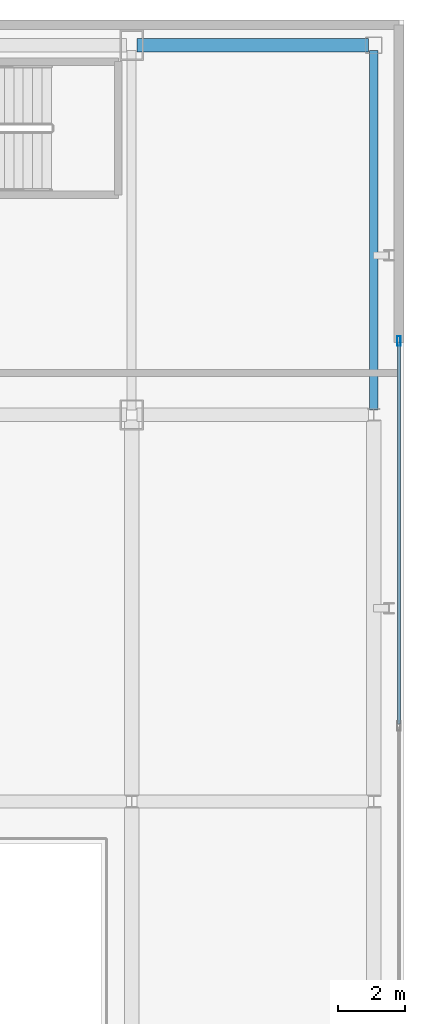
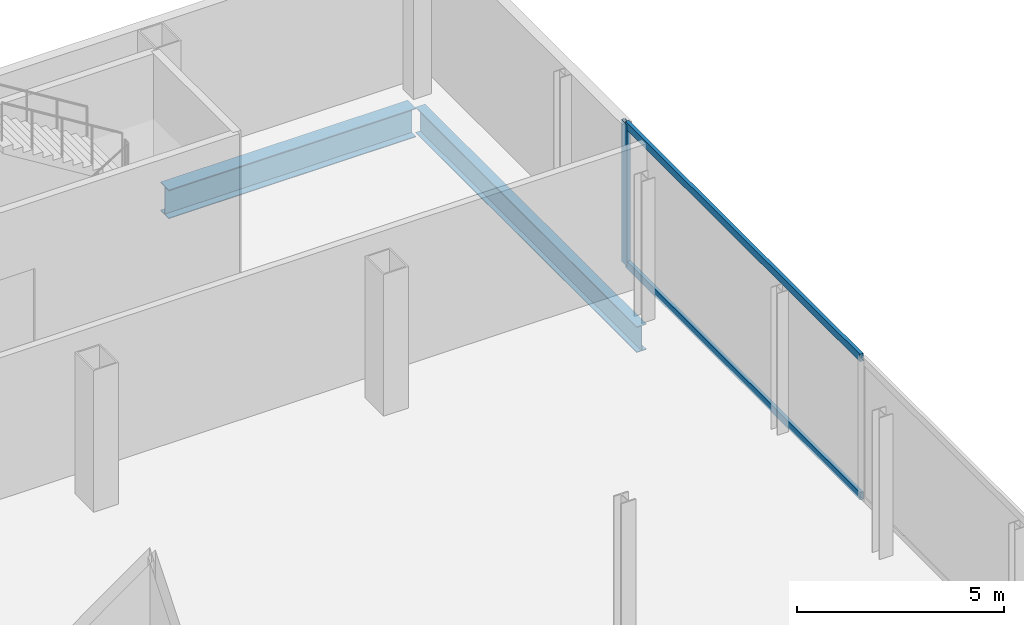
# One storey, part 17 of 26: 3 members, 2 beams, 1 element without a shape of its own.
"""IFC4 building model written with IfcOpenShell, lengths in metres."""

from ifc_helpers import new_model, si_unit, direction, frame, origin, origin_2d, place, context, subcontext, project, spatial, hollow_rectangle, i_section, extrude, source, transform, mapped, material, layer, layer_set, material_profile, profile_set, type_object, element, aggregate, save


model = new_model("IFC4")

# Units and contexts
model_context = context("Model", 3, precision=1e-05, world=origin(), true_north=direction((0.0, 1.0)))
body_context = subcontext(model_context, "Body", "Model", "MODEL_VIEW")
ifc_project = project(units=[si_unit("LENGTHUNIT", "METRE"), si_unit("AREAUNIT", "SQUARE_METRE"), si_unit("VOLUMEUNIT", "CUBIC_METRE"), si_unit("PLANEANGLEUNIT", "RADIAN"), si_unit("MASSUNIT", "GRAM", prefix="KILO")], contexts=[model_context])

# Site, building, storey
site_placement = place(None, origin())
site = spatial("IfcSite", under=ifc_project, at=site_placement, CompositionType="ELEMENT")
building_placement = place(site_placement, origin())
building = spatial("IfcBuilding", under=site, at=building_placement, Name="Kolveth Station Tower", CompositionType="ELEMENT")
storey_placement = place(building_placement, frame((0.0, 0.0, 9.0)))
storey = spatial("IfcBuildingStorey", under=building, at=storey_placement, Name="L02", CompositionType="ELEMENT", Elevation=9.0)

# Beams
ifc_material_1 = material(Name="Steel S355", Category="steel")
ifc_material_profile_1 = material_profile(ifc_material_1, i_section(OverallWidth=0.40087890625, OverallDepth=0.85107421875, WebThickness=0.01611328125, FlangeThickness=0.025390625, at=origin_2d()), Name="W840x226")
ifc_profile_set_1 = profile_set([ifc_material_profile_1], Name="Steel S355")
beam_type_1 = type_object("IfcBeamType", Name="Beam_B2", PredefinedType="BEAM", material=ifc_profile_set_1)
shared_shape_1 = source(origin(), body_context, "Body", "SweptSolid", [
    extrude(i_section(OverallWidth=0.40087890625, OverallDepth=0.85107421875, WebThickness=0.01611328125, FlangeThickness=0.025390625, at=origin_2d()), origin(), (0.0, 0.0, 1.0), 6.900146484375),
])
beam_1_placement = place(storey_placement, frame((63.64990234375, 39.75, -0.74560546875), z_axis=(1.0, 0.0, 0.0), x_axis=(0.0, 1.0, 0.0)))
element("IfcBeam", 1, at=beam_1_placement, inside=storey, type_object=beam_type_1, Name="L02 Station Portal Girder SBM-L02-EW-6-3", PredefinedType="BEAM", context=body_context, shape_type="MappedRepresentation", body=[
    mapped(shared_shape_1, transform((0.0, 0.0, 0.0), x_axis=(1.0, 0.0, 0.0), y_axis=(0.0, 1.0, 0.0), z_axis=(0.0, 0.0, 1.0), scale=1.0)),
])
ifc_material_profile_2 = material_profile(ifc_material_1, i_section(OverallWidth=0.26708984375, OverallDepth=0.76611328125, WebThickness=0.014892578125, FlangeThickness=0.023681640625, at=origin_2d()), Name="W760x185")
ifc_profile_set_2 = profile_set([ifc_material_profile_2], Name="Steel S355")
beam_type_2 = type_object("IfcBeamType", Name="Beam_B3", PredefinedType="BEAM", material=ifc_profile_set_2)
shared_shape_2 = source(origin(), body_context, "Body", "SweptSolid", [
    extrude(i_section(OverallWidth=0.26708984375, OverallDepth=0.76611328125, WebThickness=0.014892578125, FlangeThickness=0.023681640625, at=origin_2d()), origin(), (0.0, 0.0, 1.0), 10.7001953125),
])
beam_2_placement = place(storey_placement, frame((70.699951171875, 28.89990234375, -0.702880859375), z_axis=(0.0, 1.0, 0.0), x_axis=(-1.0, 0.0, 0.0)))
element("IfcBeam", 2, at=beam_2_placement, inside=storey, type_object=beam_type_2, Name="L02 Station Spine Girder SBM-L02-NS-4-5", PredefinedType="BEAM", context=body_context, shape_type="MappedRepresentation", body=[
    mapped(shared_shape_2, transform((0.0, 0.0, 0.0), x_axis=(1.0, 0.0, 0.0), y_axis=(0.0, 1.0, 0.0), z_axis=(0.0, 0.0, 1.0), scale=1.0)),
])

# Curtain wall, members
ifc_material_2 = material(Name="Black anodized aluminium 6063-T6 and clear station glass", Category="aluminium")
ifc_layer = layer(ifc_material_2, 0.239990234375)
ifc_layer_set = layer_set([ifc_layer], Name="Black anodized aluminium 6063-T6 and clear station glass")
curtain_wall_type = type_object("IfcCurtainWallType", Name="CurtainWall_CW-ST", PredefinedType="NOTDEFINED", material=ifc_layer_set)
curtain_wall_placement = place(storey_placement, origin())
curtain_wall = element("IfcCurtainWall", 3, at=curtain_wall_placement, inside=storey, type_object=curtain_wall_type, Name="L02 Station East Main Hall Curtain Wall", PredefinedType="NOTDEFINED")
ifc_material_3 = material(Name="Black anodized aluminium 6063-T6", Category="aluminium")
ifc_material_profile_3 = material_profile(ifc_material_3, hollow_rectangle(XDim=0.10009765625, YDim=0.280029296875, WallThickness=0.0048828125, at=origin_2d()), Name="ALU-100x280x5")
ifc_profile_set_3 = profile_set([ifc_material_profile_3], Name="Black anodized aluminium 6063-T6")
member_type_1 = type_object("IfcMemberType", Name="Mullion_ML-ST", PredefinedType="MULLION", material=ifc_profile_set_3)
shared_shape_3 = source(origin(), body_context, "Body", "SweptSolid", [
    extrude(hollow_rectangle(XDim=0.10009765625, YDim=0.280029296875, WallThickness=0.0048828125, at=origin_2d()), origin(), (0.0, 0.0, 1.0), 4.179931640625),
])
member_1_placement = place(storey_placement, frame((71.449951171875, 30.949951171875, 0.0), z_axis=(0.0, 0.0, 1.0), x_axis=(-1.0, 0.0, 0.0)))
member_1 = element("IfcMember", 4, at=member_1_placement, type_object=member_type_1, Name="CW-ST mullion 3", PredefinedType="MULLION", context=body_context, shape_type="MappedRepresentation", body=[
    mapped(shared_shape_3, transform((0.0, 0.0, 0.0), x_axis=(1.0, 0.0, 0.0), y_axis=(0.0, 1.0, 0.0), z_axis=(0.0, 0.0, 1.0), scale=1.0)),
])
ifc_material_profile_4 = material_profile(ifc_material_3, hollow_rectangle(XDim=0.094970703125, YDim=0.219970703125, WallThickness=0.0048828125, at=origin_2d()), Name="ALU-95x220x5")
ifc_profile_set_4 = profile_set([ifc_material_profile_4], Name="Black anodized aluminium 6063-T6")
member_type_2 = type_object("IfcMemberType", Name="Transom_TR-ST", PredefinedType="USERDEFINED", material=ifc_profile_set_4)
shared_shape_4 = source(origin(), body_context, "Body", "SweptSolid", [
    extrude(hollow_rectangle(XDim=0.094970703125, YDim=0.219970703125, WallThickness=0.0048828125, at=origin_2d()), origin(), (0.0, 0.0, 1.0), 11.349853515625),
])
member_2_placement = place(storey_placement, frame((71.449951171875, 19.550048828125, 0.047607421875), z_axis=(0.0, 1.0, 0.0), x_axis=(-1.0, 0.0, 0.0)))
member_2 = element("IfcMember", 5, at=member_2_placement, type_object=member_type_2, Name="CW-ST transom 2.1", ObjectType="TRANSOM", PredefinedType="USERDEFINED", context=body_context, shape_type="MappedRepresentation", body=[
    mapped(shared_shape_4, transform((0.0, 0.0, 0.0), x_axis=(1.0, 0.0, 0.0), y_axis=(0.0, 1.0, 0.0), z_axis=(0.0, 0.0, 1.0), scale=1.0)),
])
member_3_placement = place(storey_placement, frame((71.449951171875, 19.550048828125, 4.132568359375), z_axis=(0.0, 1.0, 0.0), x_axis=(-1.0, 0.0, 0.0)))
member_3 = element("IfcMember", 6, at=member_3_placement, type_object=member_type_2, Name="CW-ST transom 2.2", ObjectType="TRANSOM", PredefinedType="USERDEFINED", context=body_context, shape_type="MappedRepresentation", body=[
    mapped(shared_shape_4, transform((0.0, 0.0, 0.0), x_axis=(1.0, 0.0, 0.0), y_axis=(0.0, 1.0, 0.0), z_axis=(0.0, 0.0, 1.0), scale=1.0)),
])
aggregate(curtain_wall, [member_1, member_2, member_3])

save(model, "model.ifc")
